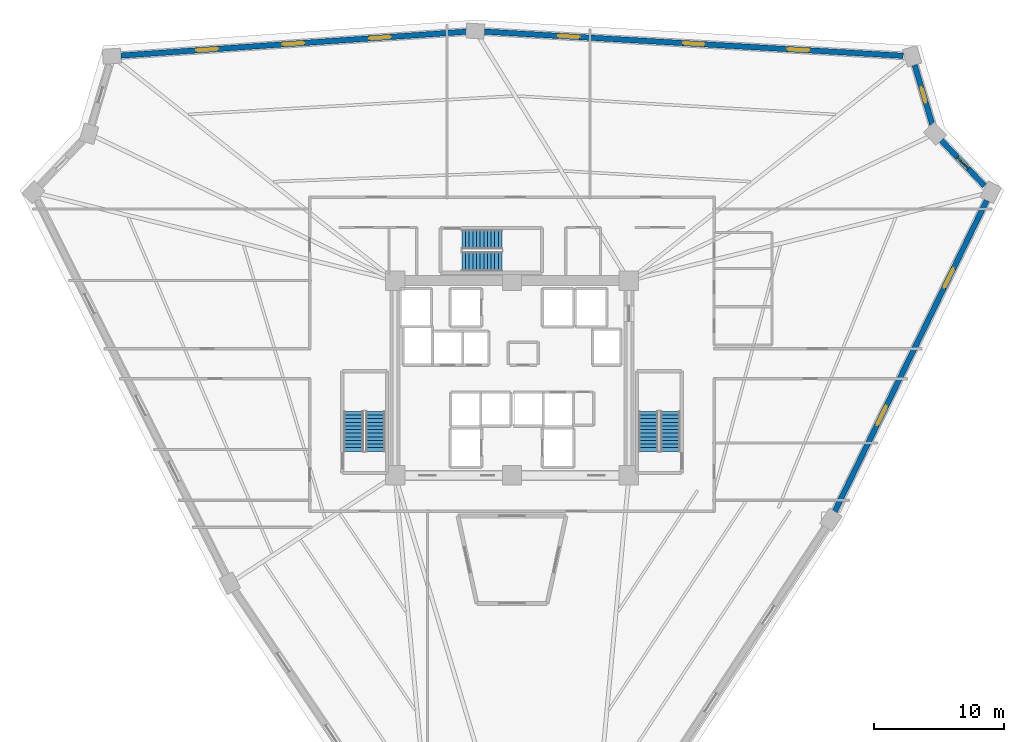
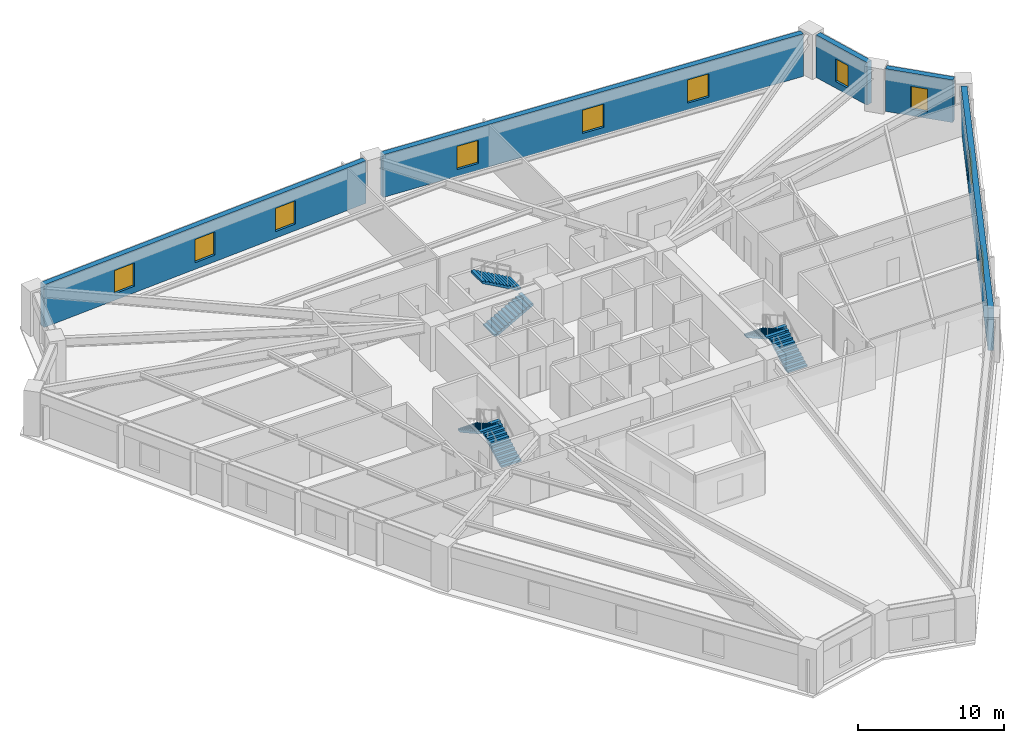
# One storey, part 7 of 9: 10 windows, 6 stair flights, 5 walls, 10 openings, 3 elements without a shape of their own.
"""IFC4 building model written with IfcOpenShell, lengths in metres."""

import ifcopenshell
import ifcopenshell.guid

model = None  # the IFC model being written
_history = None  # IfcOwnerHistory: only IFC2X3 demands one
_inside = {}  # id of a spatial element -> (the spatial element, [elements in it])
_under = {}  # id of a project, library or spatial element -> (it, [spatial elements below it])
_declared = {}  # id of a project -> (the project, [libraries it declares])
_typed = {}  # id of a type object -> (the type object, [elements of that type])
_made_of = {}  # id of a material, layer set ... -> (it, [elements and type objects made of it])


def new_model(schema):
    """Start an empty IFC model of exactly this schema.

    Asked for "IFC4X3", IfcOpenShell would pick the latest addendum, in which some entities
    have other attributes; the version numbers below select the first issue.
    IFC2X3 requires an IfcOwnerHistory on every rooted entity: one is made here for all.
    """
    global model, _history
    if schema == "IFC4X3":
        model = ifcopenshell.file(schema_version=(4, 3, 0, 0))
    else:
        model = ifcopenshell.file(schema=schema)
    _inside.clear()
    _under.clear()
    _declared.clear()
    _typed.clear()
    _made_of.clear()
    _history = None
    if model.schema == "IFC2X3":
        org = make("IfcOrganization", Name="unknown")
        user = make(
            "IfcPersonAndOrganization",
            ThePerson=make("IfcPerson", FamilyName="unknown"),
            TheOrganization=org,
        )
        app = make(
            "IfcApplication",
            ApplicationDeveloper=org,
            Version="unknown",
            ApplicationFullName="unknown",
            ApplicationIdentifier="unknown",
        )
        _history = make(
            "IfcOwnerHistory",
            OwningUser=user,
            OwningApplication=app,
            ChangeAction="ADDED",
            CreationDate=0,
        )
    return model


def make(cls, **values):
    """One entity of the class cls with the attributes given. An attribute that is None is left unset."""
    return model.create_entity(
        cls, **{name: value for name, value in values.items() if value is not None}
    )


def rooted(cls, **values):
    """An entity with a GlobalId (a new one), such as an element, a storey or a relation."""
    return make(cls, GlobalId=ifcopenshell.guid.new(), OwnerHistory=_history, **values)


def si_unit(unit_type, name, prefix=None):
    """IfcSIUnit, for example si_unit("LENGTHUNIT", "METRE", prefix="MILLI")."""
    return make("IfcSIUnit", UnitType=unit_type, Prefix=prefix, Name=name)


def assignment(units):
    """IfcUnitAssignment: the units of a project."""
    return None if units is None else make("IfcUnitAssignment", Units=units)


def point(xyz):
    """IfcCartesianPoint."""
    return None if xyz is None else make("IfcCartesianPoint", Coordinates=xyz)


def direction(xyz):
    """IfcDirection."""
    return None if xyz is None else make("IfcDirection", DirectionRatios=xyz)


def frame(location, z_axis=None, x_axis=None):
    """IfcAxis2Placement3D, a coordinate frame: its origin and axes. An axis left out is left unset."""
    return make(
        "IfcAxis2Placement3D",
        Location=point(location),
        Axis=direction(z_axis),
        RefDirection=direction(x_axis),
    )


def frame_2d(location, x_axis=None):
    """IfcAxis2Placement2D, a coordinate frame in the plane: its origin and x axis."""
    return make(
        "IfcAxis2Placement2D", Location=point(location), RefDirection=direction(x_axis)
    )


def origin():
    """The frame at (0, 0, 0) with its axes left unset."""
    return frame((0.0, 0.0, 0.0))


def place(relative_to, where):
    """IfcLocalPlacement: puts the frame where relative to a parent placement (None: the world)."""
    return make(
        "IfcLocalPlacement", PlacementRelTo=relative_to, RelativePlacement=where
    )


def context(
    kind, dimensions, precision=None, world=None, true_north=None, identifier=None
):
    """IfcGeometricRepresentationContext, for example the 3D "Model" context."""
    return make(
        "IfcGeometricRepresentationContext",
        ContextIdentifier=identifier,
        ContextType=kind,
        CoordinateSpaceDimension=dimensions,
        Precision=precision,
        WorldCoordinateSystem=world,
        TrueNorth=true_north,
    )


def subcontext(parent, identifier, kind, view, scale=None):
    """IfcGeometricRepresentationSubContext, for example "Body" below "Model"."""
    return make(
        "IfcGeometricRepresentationSubContext",
        ContextIdentifier=identifier,
        ContextType=kind,
        ParentContext=parent,
        TargetScale=scale,
        TargetView=view,
    )


def project(units=None, contexts=None):
    """IfcProject with its units and contexts."""
    return rooted(
        "IfcProject",
        Name="project",
        RepresentationContexts=contexts,
        UnitsInContext=assignment(units),
    )


def spatial(cls, under=None, at=None, **own):
    """A site, building, storey or space (cls), placed at a placement, below another one or the project."""
    s = rooted(cls, ObjectPlacement=at, **own)
    if under is not None:
        _under.setdefault(under.id(), (under, []))[1].append(s)
    return s


def polyline(points):
    """IfcPolyline through the points."""
    return make("IfcPolyline", Points=[point(p) for p in points])


def profile(cls, at=None, kind="AREA", **sizes):
    """A parametric profile (cls). Its sizes go by their IFC names, for example OverallWidth=200.0."""
    return make(cls, ProfileType=kind, Position=at, **sizes)


def rectangle(**sizes):
    """IfcRectangleProfileDef."""
    return profile("IfcRectangleProfileDef", **sizes)


def outline(outer, holes=None, kind="AREA"):
    """IfcArbitraryClosedProfileDef: a profile drawn as a closed curve; with holes, ...WithVoids."""
    if holes is None:
        return make("IfcArbitraryClosedProfileDef", ProfileType=kind, OuterCurve=outer)
    return make(
        "IfcArbitraryProfileDefWithVoids",
        ProfileType=kind,
        OuterCurve=outer,
        InnerCurves=holes,
    )


def extrude(swept, where, along, depth):
    """IfcExtrudedAreaSolid: the profile swept, set in the frame where, extruded along a direction by depth."""
    return make(
        "IfcExtrudedAreaSolid",
        SweptArea=swept,
        Position=where,
        ExtrudedDirection=direction(along),
        Depth=depth,
    )


def shape(context_of_items, identifier, shape_type, items):
    """IfcShapeRepresentation: the items that make up one representation, for example the "Body"."""
    return make(
        "IfcShapeRepresentation",
        ContextOfItems=context_of_items,
        RepresentationIdentifier=identifier,
        RepresentationType=shape_type,
        Items=items,
    )


def source(mapping_origin, context_of_items, identifier, shape_type, items):
    """IfcRepresentationMap: a shape defined once, which mapped items show again and again."""
    return make(
        "IfcRepresentationMap",
        MappingOrigin=mapping_origin,
        MappedRepresentation=shape(context_of_items, identifier, shape_type, items),
    )


def transform(
    local_origin,
    x_axis=None,
    y_axis=None,
    z_axis=None,
    scale=None,
    scale2=None,
    scale3=None,
    uniform=True,
):
    """IfcCartesianTransformationOperator3D, or its non-uniform kind. x_axis, y_axis, z_axis: its Axis1, 2, 3."""
    if uniform:
        return make(
            "IfcCartesianTransformationOperator3D",
            Axis1=direction(x_axis),
            Axis2=direction(y_axis),
            LocalOrigin=point(local_origin),
            Scale=scale,
            Axis3=direction(z_axis),
        )
    return make(
        "IfcCartesianTransformationOperator3DnonUniform",
        Axis1=direction(x_axis),
        Axis2=direction(y_axis),
        LocalOrigin=point(local_origin),
        Scale=scale,
        Axis3=direction(z_axis),
        Scale2=scale2,
        Scale3=scale3,
    )


def mapped(mapping_source, mapping_target):
    """IfcMappedItem: shows the shape of a source again, moved by a transform."""
    return make(
        "IfcMappedItem", MappingSource=mapping_source, MappingTarget=mapping_target
    )


def material(Name=None, Category=None):
    """IfcMaterial."""
    return make("IfcMaterial", Name=Name, Category=Category)


def layer(
    of_material, thickness, ventilated=None, Name=None, Category=None, Priority=None
):
    """IfcMaterialLayer: one layer of a wall or slab, of a material (None: an air gap)."""
    return make(
        "IfcMaterialLayer",
        Material=of_material,
        LayerThickness=thickness,
        IsVentilated=ventilated,
        Name=Name,
        Category=Category,
        Priority=Priority,
    )


def layer_set(layers, Name=None):
    """IfcMaterialLayerSet."""
    return make("IfcMaterialLayerSet", MaterialLayers=layers, LayerSetName=Name)


def made_of(thing, what):
    """Note that an element or type object is made of a material, layer set ...; save() writes the relation."""
    if what is not None:
        _made_of.setdefault(what.id(), (what, []))[1].append(thing)
    return thing


def type_object(cls, material=None, **own):
    """A type object (cls), such as IfcWallType, which elements share."""
    return made_of(rooted(cls, **own), material)


def element(
    cls,
    number,
    at=None,
    inside=None,
    cuts=None,
    type_object=None,
    material=None,
    context=None,
    identifier="Body",
    shape_type=None,
    held_by="IfcProductDefinitionShape",
    body=None,
    shapes=None,
    **own,
):
    """One element of the class cls, such as IfcWall. Its Tag is "e" and its number.

    at: its placement. inside: the storey or other place that contains it. cuts: it is an
    opening in that element (IfcRelVoidsElement). A single representation is given by context,
    identifier, shape_type and body (its items); several are given by shapes. held_by: the class
    of the entity that holds the representations. save() writes the other relations.
    """
    e = rooted(cls, Tag="e%d" % number, ObjectPlacement=at, **own)
    if body is not None:
        shapes = [shape(context, identifier, shape_type, body)]
    if shapes is not None:
        e.Representation = make(held_by, Representations=shapes)
    if inside is not None:
        _inside.setdefault(inside.id(), (inside, []))[1].append(e)
    if cuts is not None:
        rooted(
            "IfcRelVoidsElement", RelatingBuildingElement=cuts, RelatedOpeningElement=e
        )
    if type_object is not None:
        _typed.setdefault(type_object.id(), (type_object, []))[1].append(e)
    return made_of(e, material)


def fill(opening, filler):
    """IfcRelFillsElement: the door or window that sits in an opening."""
    return rooted(
        "IfcRelFillsElement",
        RelatingOpeningElement=opening,
        RelatedBuildingElement=filler,
    )


def aggregate(whole, parts):
    """IfcRelAggregates: a whole, such as a stair, and the parts it consists of."""
    return rooted("IfcRelAggregates", RelatingObject=whole, RelatedObjects=parts)


def save(model, path):
    """Write the relations noted so far, then the file.

    IfcRelAggregates (storeys below a building ...), IfcRelContainedInSpatialStructure (elements
    in a storey), IfcRelDefinesByType, IfcRelAssociatesMaterial and IfcRelDeclares: one each for
    every whole, place, type object, material and project.
    """
    for whole, parts in _under.values():
        aggregate(whole, parts)
    for where, things in _inside.values():
        rooted(
            "IfcRelContainedInSpatialStructure",
            RelatedElements=things,
            RelatingStructure=where,
        )
    for kind, things in _typed.values():
        rooted("IfcRelDefinesByType", RelatedObjects=things, RelatingType=kind)
    for what, things in _made_of.values():
        rooted("IfcRelAssociatesMaterial", RelatedObjects=things, RelatingMaterial=what)
    for by, libraries in _declared.values():
        rooted("IfcRelDeclares", RelatingContext=by, RelatedDefinitions=libraries)
    model.write(path)


model = new_model("IFC4")

# Units and contexts
model_context = context("Model", 3, precision=1e-05, world=origin(), true_north=direction((0.0, 1.0)))
body_context = subcontext(model_context, "Body", "Model", "MODEL_VIEW")
ifc_project = project(units=[si_unit("LENGTHUNIT", "METRE"), si_unit("AREAUNIT", "SQUARE_METRE"), si_unit("VOLUMEUNIT", "CUBIC_METRE"), si_unit("PLANEANGLEUNIT", "RADIAN"), si_unit("MASSUNIT", "GRAM", prefix="KILO")], contexts=[model_context])

# Site, building, storey
site_placement = place(None, origin())
site = spatial("IfcSite", under=ifc_project, at=site_placement, CompositionType="ELEMENT")
building_placement = place(site_placement, origin())
building = spatial("IfcBuilding", under=site, at=building_placement, Name="Liaohun Quay Tower", CompositionType="ELEMENT")
storey_placement = place(building_placement, frame((0.0, 0.0, 102.0)))
storey = spatial("IfcBuildingStorey", under=building, at=storey_placement, Name="L26", CompositionType="ELEMENT", Elevation=102.0)

# Wall, openings, windows
ifc_material_1 = material(Name="Precast concrete C50 insulated sandwich", Category="concrete")
ifc_layer = layer(ifc_material_1, 0.419921875, Name="Precast concrete C50 insulated sandwich", Category="concrete")
ifc_layer_set = layer_set([ifc_layer], Name="Precast concrete C50 insulated sandwich")
wall_type = type_object("IfcWallType", Name="WAL-EXT-Z12", PredefinedType="SOLIDWALL", material=ifc_layer_set)
wall_1_placement = place(storey_placement, frame((84.8359375, 43.718017578125, 0.0), z_axis=(0.0, 0.0, 1.0), x_axis=(0.439006754844, 0.898483761234, 0.0)))
wall_1 = element("IfcWall", 1, at=wall_1_placement, inside=storey, type_object=wall_type, Name="L26 Brutalist Precast Pier Wall 03", PredefinedType="SOLIDWALL", context=body_context, shape_type="SweptSolid", body=[
    extrude(rectangle(XDim=26.656005859375, YDim=0.419921875, at=frame_2d((13.328125, 0.0))), origin(), (0.0, 0.0, 1.0), 3.570068359375),
])
shared_shape_1 = source(origin(), body_context, "Body", "SweptSolid", [
    extrude(rectangle(XDim=1.64990234375, YDim=1.949951171875, at=frame_2d((0.824951171875, 0.97509765625))), frame((0.0, 0.219970703125, 0.0), z_axis=(0.0, -1.0, 0.0), x_axis=(1.0, 0.0, 0.0)), (0.0, 0.0, 1.0), 0.43994140625),
])
opening_1_placement = place(wall_1_placement, frame((7.388916015625, 0.0, 0.550048828125)))
opening_1 = element("IfcOpeningElement", 2, at=opening_1_placement, cuts=wall_1, Name="Opening W02", PredefinedType="OPENING", context=body_context, shape_type="MappedRepresentation", body=[
    mapped(shared_shape_1, transform((0.0, 0.0, 0.0), x_axis=(1.0, 0.0, 0.0), y_axis=(0.0, 1.0, 0.0), z_axis=(0.0, 0.0, 1.0), scale=1.0)),
])
opening_2_placement = place(wall_1_placement, frame((19.1669921875, 0.0, 0.550048828125)))
opening_2 = element("IfcOpeningElement", 3, at=opening_2_placement, cuts=wall_1, Name="Opening W02", PredefinedType="OPENING", context=body_context, shape_type="MappedRepresentation", body=[
    mapped(shared_shape_1, transform((0.0, 0.0, 0.0), x_axis=(1.0, 0.0, 0.0), y_axis=(0.0, 1.0, 0.0), z_axis=(0.0, 0.0, 1.0), scale=1.0)),
])
ifc_material_2 = material(Name="Triple Low-E argon glazing in thermally broken aluminium", Category="aluminium")
window_type_1 = type_object("IfcWindowType", Name="WIN-PUN-Z2", PartitioningType="DOUBLE_PANEL_VERTICAL", PredefinedType="WINDOW", material=ifc_material_2)
shared_shape_2 = source(origin(), body_context, "Body", "SweptSolid", [
    extrude(rectangle(XDim=1.64990234375, YDim=1.949951171875, at=frame_2d((0.824951171875, 0.97509765625))), frame((0.0, 0.030029296875, 0.0), z_axis=(0.0, -1.0, 0.0), x_axis=(1.0, 0.0, 0.0)), (0.0, 0.0, 1.0), 0.06005859375),
])
window_1_placement = place(opening_1_placement, origin())
window_1 = element("IfcWindow", 4, at=window_1_placement, inside=storey, type_object=window_type_1, Name="L26 Recessed Cold-Climate Punched Window 03-1", OverallHeight=1.949951171875, OverallWidth=1.64990234375, PartitioningType="DOUBLE_PANEL_VERTICAL", PredefinedType="WINDOW", context=body_context, shape_type="MappedRepresentation", body=[
    mapped(shared_shape_2, transform((0.0, 0.0, 0.0), x_axis=(1.0, 0.0, 0.0), y_axis=(0.0, 1.0, 0.0), z_axis=(0.0, 0.0, 1.0), scale=1.0)),
])
fill(opening_1, window_1)
window_2_placement = place(opening_2_placement, origin())
window_2 = element("IfcWindow", 5, at=window_2_placement, inside=storey, type_object=window_type_1, Name="L26 Recessed Cold-Climate Punched Window 03-3", OverallHeight=1.949951171875, OverallWidth=1.64990234375, PartitioningType="DOUBLE_PANEL_VERTICAL", PredefinedType="WINDOW", context=body_context, shape_type="MappedRepresentation", body=[
    mapped(shared_shape_2, transform((0.0, 0.0, 0.0), x_axis=(1.0, 0.0, 0.0), y_axis=(0.0, 1.0, 0.0), z_axis=(0.0, 0.0, 1.0), scale=1.0)),
])
fill(opening_2, window_2)

# Wall, opening, window
wall_2_placement = place(storey_placement, frame((96.364990234375, 68.7880859375, 0.0), z_axis=(0.0, 0.0, 1.0), x_axis=(-0.68933261552, 0.724444991135, 0.0)))
wall_2 = element("IfcWall", 6, at=wall_2_placement, inside=storey, type_object=wall_type, Name="L26 Brutalist Precast Pier Wall 04", PredefinedType="SOLIDWALL", context=body_context, shape_type="SweptSolid", body=[
    extrude(rectangle(XDim=4.83935546875, YDim=0.419921875, at=frame_2d((2.419677734375, 0.0))), origin(), (0.0, 0.0, 1.0), 3.570068359375),
])
shared_shape_3 = source(origin(), body_context, "Body", "SweptSolid", [
    extrude(rectangle(XDim=1.199951171875, YDim=1.89990234375, at=frame_2d((0.60009765625, 0.949951171875))), frame((0.0, 0.219970703125, 0.0), z_axis=(0.0, -1.0, 0.0), x_axis=(1.0, 0.0, 0.0)), (0.0, 0.0, 1.0), 0.43994140625),
])
opening_3_placement = place(wall_2_placement, frame((1.820068359375, 0.0, 0.550048828125)))
opening_3 = element("IfcOpeningElement", 7, at=opening_3_placement, cuts=wall_2, Name="Opening W05", PredefinedType="OPENING", context=body_context, shape_type="MappedRepresentation", body=[
    mapped(shared_shape_3, transform((0.0, 0.0, 0.0), x_axis=(1.0, 0.0, 0.0), y_axis=(0.0, 1.0, 0.0), z_axis=(0.0, 0.0, 1.0), scale=1.0)),
])
ifc_material_3 = material(Name="Triple Low-E corner notch glazing", Category="glass")
window_type_2 = type_object("IfcWindowType", Name="WIN-NOTCH", PartitioningType="SINGLE_PANEL", PredefinedType="WINDOW", material=ifc_material_3)
shared_shape_4 = source(origin(), body_context, "Body", "SweptSolid", [
    extrude(rectangle(XDim=1.199951171875, YDim=1.89990234375, at=frame_2d((0.60009765625, 0.949951171875))), frame((0.0, 0.030029296875, 0.0), z_axis=(0.0, -1.0, 0.0), x_axis=(1.0, 0.0, 0.0)), (0.0, 0.0, 1.0), 0.06005859375),
])
window_3_placement = place(opening_3_placement, origin())
window_3 = element("IfcWindow", 8, at=window_3_placement, inside=storey, type_object=window_type_2, Name="L26 Corner Notch Window W05-04", OverallHeight=1.89990234375, OverallWidth=1.199951171875, PartitioningType="SINGLE_PANEL", PredefinedType="WINDOW", context=body_context, shape_type="MappedRepresentation", body=[
    mapped(shared_shape_4, transform((0.0, 0.0, 0.0), x_axis=(1.0, 0.0, 0.0), y_axis=(0.0, 1.0, 0.0), z_axis=(0.0, 0.0, 1.0), scale=1.0)),
])
fill(opening_3, window_3)

wall_3_placement = place(storey_placement, frame((92.35791015625, 73.4560546875, 0.0), z_axis=(0.0, 0.0, 1.0), x_axis=(-0.282817124876, 0.959173849663, 0.0)))
wall_3 = element("IfcWall", 9, at=wall_3_placement, inside=storey, type_object=wall_type, Name="L26 Brutalist Precast Pier Wall 05", PredefinedType="SOLIDWALL", context=body_context, shape_type="SweptSolid", body=[
    extrude(rectangle(XDim=4.833251953125, YDim=0.419921875, at=frame_2d((2.41650390625, 0.0))), origin(), (0.0, 0.0, 1.0), 3.570068359375),
])
opening_4_placement = place(wall_3_placement, frame((1.81689453125, 0.0, 0.550048828125)))
opening_4 = element("IfcOpeningElement", 10, at=opening_4_placement, cuts=wall_3, Name="Opening W05", PredefinedType="OPENING", context=body_context, shape_type="MappedRepresentation", body=[
    mapped(shared_shape_3, transform((0.0, 0.0, 0.0), x_axis=(1.0, 0.0, 0.0), y_axis=(0.0, 1.0, 0.0), z_axis=(0.0, 0.0, 1.0), scale=1.0)),
])
window_4_placement = place(opening_4_placement, origin())
window_4 = element("IfcWindow", 11, at=window_4_placement, inside=storey, type_object=window_type_2, Name="L26 Corner Notch Window W05-05", OverallHeight=1.89990234375, OverallWidth=1.199951171875, PartitioningType="SINGLE_PANEL", PredefinedType="WINDOW", context=body_context, shape_type="MappedRepresentation", body=[
    mapped(shared_shape_4, transform((0.0, 0.0, 0.0), x_axis=(1.0, 0.0, 0.0), y_axis=(0.0, 1.0, 0.0), z_axis=(0.0, 0.0, 1.0), scale=1.0)),
])
fill(opening_4, window_4)

# Wall, openings, windows
wall_4_placement = place(storey_placement, frame((90.10693359375, 78.7939453125, 0.0), z_axis=(0.0, 0.0, 1.0), x_axis=(-0.998334830413, 0.057685062058, 0.0)))
wall_4 = element("IfcWall", 12, at=wall_4_placement, inside=storey, type_object=wall_type, Name="L26 Brutalist Precast Pier Wall 06", PredefinedType="SOLIDWALL", context=body_context, shape_type="SweptSolid", body=[
    extrude(rectangle(XDim=32.296630859375, YDim=0.419921875, at=frame_2d((16.1484375, 0.0))), origin(), (0.0, 0.0, 1.0), 3.570068359375),
])
opening_5_placement = place(wall_4_placement, frame((7.2490234375, 0.0, 0.550048828125)))
opening_5 = element("IfcOpeningElement", 13, at=opening_5_placement, cuts=wall_4, Name="Opening W02", PredefinedType="OPENING", context=body_context, shape_type="MappedRepresentation", body=[
    mapped(shared_shape_1, transform((0.0, 0.0, 0.0), x_axis=(1.0, 0.0, 0.0), y_axis=(0.0, 1.0, 0.0), z_axis=(0.0, 0.0, 1.0), scale=1.0)),
])
opening_6_placement = place(wall_4_placement, frame((15.322998046875, 0.0, 0.550048828125)))
opening_6 = element("IfcOpeningElement", 14, at=opening_6_placement, cuts=wall_4, Name="Opening W02", PredefinedType="OPENING", context=body_context, shape_type="MappedRepresentation", body=[
    mapped(shared_shape_1, transform((0.0, 0.0, 0.0), x_axis=(1.0, 0.0, 0.0), y_axis=(0.0, 1.0, 0.0), z_axis=(0.0, 0.0, 1.0), scale=1.0)),
])
opening_7_placement = place(wall_4_placement, frame((24.947998046875, 0.0, 0.550048828125)))
opening_7 = element("IfcOpeningElement", 15, at=opening_7_placement, cuts=wall_4, Name="Opening W02", PredefinedType="OPENING", context=body_context, shape_type="MappedRepresentation", body=[
    mapped(shared_shape_1, transform((0.0, 0.0, 0.0), x_axis=(1.0, 0.0, 0.0), y_axis=(0.0, 1.0, 0.0), z_axis=(0.0, 0.0, 1.0), scale=1.0)),
])
window_5_placement = place(opening_5_placement, origin())
window_5 = element("IfcWindow", 16, at=window_5_placement, inside=storey, type_object=window_type_1, Name="L26 Recessed Cold-Climate Punched Window 06-1", OverallHeight=1.949951171875, OverallWidth=1.64990234375, PartitioningType="DOUBLE_PANEL_VERTICAL", PredefinedType="WINDOW", context=body_context, shape_type="MappedRepresentation", body=[
    mapped(shared_shape_2, transform((0.0, 0.0, 0.0), x_axis=(1.0, 0.0, 0.0), y_axis=(0.0, 1.0, 0.0), z_axis=(0.0, 0.0, 1.0), scale=1.0)),
])
fill(opening_5, window_5)
window_6_placement = place(opening_6_placement, origin())
window_6 = element("IfcWindow", 17, at=window_6_placement, inside=storey, type_object=window_type_1, Name="L26 Recessed Cold-Climate Punched Window 06-2", OverallHeight=1.949951171875, OverallWidth=1.64990234375, PartitioningType="DOUBLE_PANEL_VERTICAL", PredefinedType="WINDOW", context=body_context, shape_type="MappedRepresentation", body=[
    mapped(shared_shape_2, transform((0.0, 0.0, 0.0), x_axis=(1.0, 0.0, 0.0), y_axis=(0.0, 1.0, 0.0), z_axis=(0.0, 0.0, 1.0), scale=1.0)),
])
fill(opening_6, window_6)
window_7_placement = place(opening_7_placement, origin())
window_7 = element("IfcWindow", 18, at=window_7_placement, inside=storey, type_object=window_type_1, Name="L26 Recessed Cold-Climate Punched Window 06-3", OverallHeight=1.949951171875, OverallWidth=1.64990234375, PartitioningType="DOUBLE_PANEL_VERTICAL", PredefinedType="WINDOW", context=body_context, shape_type="MappedRepresentation", body=[
    mapped(shared_shape_2, transform((0.0, 0.0, 0.0), x_axis=(1.0, 0.0, 0.0), y_axis=(0.0, 1.0, 0.0), z_axis=(0.0, 0.0, 1.0), scale=1.0)),
])
fill(opening_7, window_7)

wall_5_placement = place(storey_placement, frame((56.487060546875, 80.64892578125, 0.0), z_axis=(0.0, 0.0, 1.0), x_axis=(-0.997615260402, -0.069020230456, 0.0)))
wall_5 = element("IfcWall", 19, at=wall_5_placement, inside=storey, type_object=wall_type, Name="L26 Brutalist Precast Pier Wall 07", PredefinedType="SOLIDWALL", context=body_context, shape_type="SweptSolid", body=[
    extrude(rectangle(XDim=26.656494140625, YDim=0.419921875, at=frame_2d((13.328125, 0.0))), origin(), (0.0, 0.0, 1.0), 3.570068359375),
])
opening_8_placement = place(wall_5_placement, frame((5.839111328125, 0.0, 0.550048828125)))
opening_8 = element("IfcOpeningElement", 20, at=opening_8_placement, cuts=wall_5, Name="Opening W02", PredefinedType="OPENING", context=body_context, shape_type="MappedRepresentation", body=[
    mapped(shared_shape_1, transform((0.0, 0.0, 0.0), x_axis=(1.0, 0.0, 0.0), y_axis=(0.0, 1.0, 0.0), z_axis=(0.0, 0.0, 1.0), scale=1.0)),
])
opening_9_placement = place(wall_5_placement, frame((12.5029296875, 0.0, 0.550048828125)))
opening_9 = element("IfcOpeningElement", 21, at=opening_9_placement, cuts=wall_5, Name="Opening W02", PredefinedType="OPENING", context=body_context, shape_type="MappedRepresentation", body=[
    mapped(shared_shape_1, transform((0.0, 0.0, 0.0), x_axis=(1.0, 0.0, 0.0), y_axis=(0.0, 1.0, 0.0), z_axis=(0.0, 0.0, 1.0), scale=1.0)),
])
opening_10_placement = place(wall_5_placement, frame((19.1669921875, 0.0, 0.550048828125)))
opening_10 = element("IfcOpeningElement", 22, at=opening_10_placement, cuts=wall_5, Name="Opening W02", PredefinedType="OPENING", context=body_context, shape_type="MappedRepresentation", body=[
    mapped(shared_shape_1, transform((0.0, 0.0, 0.0), x_axis=(1.0, 0.0, 0.0), y_axis=(0.0, 1.0, 0.0), z_axis=(0.0, 0.0, 1.0), scale=1.0)),
])
window_8_placement = place(opening_8_placement, origin())
window_8 = element("IfcWindow", 23, at=window_8_placement, inside=storey, type_object=window_type_1, Name="L26 Recessed Cold-Climate Punched Window 07-1", OverallHeight=1.949951171875, OverallWidth=1.64990234375, PartitioningType="DOUBLE_PANEL_VERTICAL", PredefinedType="WINDOW", context=body_context, shape_type="MappedRepresentation", body=[
    mapped(shared_shape_2, transform((0.0, 0.0, 0.0), x_axis=(1.0, 0.0, 0.0), y_axis=(0.0, 1.0, 0.0), z_axis=(0.0, 0.0, 1.0), scale=1.0)),
])
fill(opening_8, window_8)
window_9_placement = place(opening_9_placement, origin())
window_9 = element("IfcWindow", 24, at=window_9_placement, inside=storey, type_object=window_type_1, Name="L26 Recessed Cold-Climate Punched Window 07-2", OverallHeight=1.949951171875, OverallWidth=1.64990234375, PartitioningType="DOUBLE_PANEL_VERTICAL", PredefinedType="WINDOW", context=body_context, shape_type="MappedRepresentation", body=[
    mapped(shared_shape_2, transform((0.0, 0.0, 0.0), x_axis=(1.0, 0.0, 0.0), y_axis=(0.0, 1.0, 0.0), z_axis=(0.0, 0.0, 1.0), scale=1.0)),
])
fill(opening_9, window_9)
window_10_placement = place(opening_10_placement, origin())
window_10 = element("IfcWindow", 25, at=window_10_placement, inside=storey, type_object=window_type_1, Name="L26 Recessed Cold-Climate Punched Window 07-3", OverallHeight=1.949951171875, OverallWidth=1.64990234375, PartitioningType="DOUBLE_PANEL_VERTICAL", PredefinedType="WINDOW", context=body_context, shape_type="MappedRepresentation", body=[
    mapped(shared_shape_2, transform((0.0, 0.0, 0.0), x_axis=(1.0, 0.0, 0.0), y_axis=(0.0, 1.0, 0.0), z_axis=(0.0, 0.0, 1.0), scale=1.0)),
])
fill(opening_10, window_10)

# Stair, stair flights
ifc_material_4 = material(Name="Concrete C45", Category="concrete")
stair_type = type_object("IfcStairType", Name="STR-CORE-OFF", PredefinedType="HALF_TURN_STAIR", material=ifc_material_4)
stair_1_placement = place(storey_placement, origin())
stair_1 = element("IfcStair", 26, at=stair_1_placement, inside=storey, type_object=stair_type, Name="L26 Smokeproof Core Exit Stair ST-1", PredefinedType="HALF_TURN_STAIR")
stair_flight_type = type_object("IfcStairFlightType", Name="FLT-CORE-155", PredefinedType="STRAIGHT", material=ifc_material_4)
stair_flight_1_placement = place(storey_placement, frame((49.5048828125, 48.35009765625, 0.0), z_axis=(0.0, 0.0, 1.0), x_axis=(0.0, 1.0, 0.0)))
stair_flight_1 = element("IfcStairFlight", 27, at=stair_flight_1_placement, type_object=stair_flight_type, Name="ST-1 flight 1", NumberOfRisers=12, NumberOfTreads=11, PredefinedType="STRAIGHT", RiserHeight=0.15625, TreadLength=0.28, context=body_context, shape_type="SweptSolid", body=[
    extrude(outline(polyline([(0.0, 0.0), (0.0, 0.15625), (0.280029296875, 0.15625), (0.280029296875, 0.3125), (0.56005859375, 0.3125), (0.56005859375, 0.46875), (0.840087890625, 0.46875), (0.840087890625, 0.625), (1.1201171875, 0.625), (1.1201171875, 0.78125), (1.39990234375, 0.78125), (1.39990234375, 0.9375), (1.679931640625, 0.9375), (1.679931640625, 1.09375), (1.9599609375, 1.09375), (1.9599609375, 1.25), (2.239990234375, 1.25), (2.239990234375, 1.40625), (2.52001953125, 1.40625), (2.52001953125, 1.5625), (2.800048828125, 1.5625), (2.800048828125, 1.71875), (3.080078125, 1.71875), (3.080078125, 1.875), (3.080078125, 1.547119140625), (0.3076171875, 0.0), (0.0, 0.0)])), frame((0.0, 0.77490234375, 0.0), z_axis=(0.0, -1.0, 0.0), x_axis=(1.0, 0.0, 0.0)), (0.0, 0.0, 1.0), 1.550048828125),
])
stair_flight_2_placement = place(storey_placement, frame((47.81494140625, 51.429931640625, 1.875), z_axis=(0.0, 0.0, 1.0), x_axis=(0.0, -1.0, 0.0)))
stair_flight_2 = element("IfcStairFlight", 28, at=stair_flight_2_placement, type_object=stair_flight_type, Name="ST-1 flight 2", NumberOfRisers=12, NumberOfTreads=11, PredefinedType="STRAIGHT", RiserHeight=0.15625, TreadLength=0.28, context=body_context, shape_type="SweptSolid", body=[
    extrude(outline(polyline([(0.0, 0.0), (0.0, 0.15625), (0.280029296875, 0.15625), (0.280029296875, 0.3125), (0.56005859375, 0.3125), (0.56005859375, 0.46875), (0.840087890625, 0.46875), (0.840087890625, 0.625), (1.1201171875, 0.625), (1.1201171875, 0.78125), (1.39990234375, 0.78125), (1.39990234375, 0.9375), (1.679931640625, 0.9375), (1.679931640625, 1.09375), (1.9599609375, 1.09375), (1.9599609375, 1.25), (2.239990234375, 1.25), (2.239990234375, 1.40625), (2.52001953125, 1.40625), (2.52001953125, 1.5625), (2.800048828125, 1.5625), (2.800048828125, 1.71875), (3.080078125, 1.71875), (3.080078125, 1.875), (3.080078125, 1.547119140625), (0.3076171875, 0.0), (0.0, 0.0)])), frame((0.0, 0.77490234375, 0.0), z_axis=(0.0, -1.0, 0.0), x_axis=(1.0, 0.0, 0.0)), (0.0, 0.0, 1.0), 1.550048828125),
])
aggregate(stair_1, [stair_flight_1, stair_flight_2])

stair_2_placement = place(storey_placement, origin())
stair_2 = element("IfcStair", 29, at=stair_2_placement, inside=storey, type_object=stair_type, Name="L26 Smokeproof Core Exit Stair ST-2", PredefinedType="HALF_TURN_STAIR")
stair_flight_3_placement = place(storey_placement, frame((72.18505859375, 48.35009765625, 0.0), z_axis=(0.0, 0.0, 1.0), x_axis=(0.0, 1.0, 0.0)))
stair_flight_3 = element("IfcStairFlight", 30, at=stair_flight_3_placement, type_object=stair_flight_type, Name="ST-2 flight 1", NumberOfRisers=12, NumberOfTreads=11, PredefinedType="STRAIGHT", RiserHeight=0.15625, TreadLength=0.28, context=body_context, shape_type="SweptSolid", body=[
    extrude(outline(polyline([(0.0, 0.0), (0.0, 0.15625), (0.280029296875, 0.15625), (0.280029296875, 0.3125), (0.56005859375, 0.3125), (0.56005859375, 0.46875), (0.840087890625, 0.46875), (0.840087890625, 0.625), (1.1201171875, 0.625), (1.1201171875, 0.78125), (1.39990234375, 0.78125), (1.39990234375, 0.9375), (1.679931640625, 0.9375), (1.679931640625, 1.09375), (1.9599609375, 1.09375), (1.9599609375, 1.25), (2.239990234375, 1.25), (2.239990234375, 1.40625), (2.52001953125, 1.40625), (2.52001953125, 1.5625), (2.800048828125, 1.5625), (2.800048828125, 1.71875), (3.080078125, 1.71875), (3.080078125, 1.875), (3.080078125, 1.547119140625), (0.3076171875, 0.0), (0.0, 0.0)])), frame((0.0, 0.77490234375, 0.0), z_axis=(0.0, -1.0, 0.0), x_axis=(1.0, 0.0, 0.0)), (0.0, 0.0, 1.0), 1.550048828125),
])
stair_flight_4_placement = place(storey_placement, frame((70.4951171875, 51.429931640625, 1.875), z_axis=(0.0, 0.0, 1.0), x_axis=(0.0, -1.0, 0.0)))
stair_flight_4 = element("IfcStairFlight", 31, at=stair_flight_4_placement, type_object=stair_flight_type, Name="ST-2 flight 2", NumberOfRisers=12, NumberOfTreads=11, PredefinedType="STRAIGHT", RiserHeight=0.15625, TreadLength=0.28, context=body_context, shape_type="SweptSolid", body=[
    extrude(outline(polyline([(0.0, 0.0), (0.0, 0.15625), (0.280029296875, 0.15625), (0.280029296875, 0.3125), (0.56005859375, 0.3125), (0.56005859375, 0.46875), (0.840087890625, 0.46875), (0.840087890625, 0.625), (1.1201171875, 0.625), (1.1201171875, 0.78125), (1.39990234375, 0.78125), (1.39990234375, 0.9375), (1.679931640625, 0.9375), (1.679931640625, 1.09375), (1.9599609375, 1.09375), (1.9599609375, 1.25), (2.239990234375, 1.25), (2.239990234375, 1.40625), (2.52001953125, 1.40625), (2.52001953125, 1.5625), (2.800048828125, 1.5625), (2.800048828125, 1.71875), (3.080078125, 1.71875), (3.080078125, 1.875), (3.080078125, 1.547119140625), (0.3076171875, 0.0), (0.0, 0.0)])), frame((0.0, 0.77490234375, 0.0), z_axis=(0.0, -1.0, 0.0), x_axis=(1.0, 0.0, 0.0)), (0.0, 0.0, 1.0), 1.550048828125),
])
aggregate(stair_2, [stair_flight_3, stair_flight_4])

stair_3_placement = place(storey_placement, origin())
stair_3 = element("IfcStair", 32, at=stair_3_placement, inside=storey, type_object=stair_type, Name="L26 Smokeproof Core Exit Stair ST-3", PredefinedType="HALF_TURN_STAIR")
stair_flight_5_placement = place(storey_placement, frame((56.14990234375, 62.97509765625, 0.0), z_axis=(0.0, 0.0, 1.0), x_axis=(1.0, 0.0, 0.0)))
stair_flight_5 = element("IfcStairFlight", 33, at=stair_flight_5_placement, type_object=stair_flight_type, Name="ST-3 flight 1", NumberOfRisers=12, NumberOfTreads=11, PredefinedType="STRAIGHT", RiserHeight=0.15625, TreadLength=0.28, context=body_context, shape_type="SweptSolid", body=[
    extrude(outline(polyline([(0.0, 0.0), (0.0, 0.15625), (0.280029296875, 0.15625), (0.280029296875, 0.3125), (0.56005859375, 0.3125), (0.56005859375, 0.46875), (0.840087890625, 0.46875), (0.840087890625, 0.625), (1.1201171875, 0.625), (1.1201171875, 0.78125), (1.39990234375, 0.78125), (1.39990234375, 0.9375), (1.679931640625, 0.9375), (1.679931640625, 1.09375), (1.9599609375, 1.09375), (1.9599609375, 1.25), (2.239990234375, 1.25), (2.239990234375, 1.40625), (2.52001953125, 1.40625), (2.52001953125, 1.5625), (2.800048828125, 1.5625), (2.800048828125, 1.71875), (3.080078125, 1.71875), (3.080078125, 1.875), (3.080078125, 1.547119140625), (0.3076171875, 0.0), (0.0, 0.0)])), frame((0.0, 0.77490234375, 0.0), z_axis=(0.0, -1.0, 0.0), x_axis=(1.0, 0.0, 0.0)), (0.0, 0.0, 1.0), 1.550048828125),
])
stair_flight_6_placement = place(storey_placement, frame((59.22998046875, 64.6650390625, 1.875), z_axis=(0.0, 0.0, 1.0), x_axis=(-1.0, 0.0, 0.0)))
stair_flight_6 = element("IfcStairFlight", 34, at=stair_flight_6_placement, type_object=stair_flight_type, Name="ST-3 flight 2", NumberOfRisers=12, NumberOfTreads=11, PredefinedType="STRAIGHT", RiserHeight=0.15625, TreadLength=0.28, context=body_context, shape_type="SweptSolid", body=[
    extrude(outline(polyline([(0.0, 0.0), (0.0, 0.15625), (0.280029296875, 0.15625), (0.280029296875, 0.3125), (0.56005859375, 0.3125), (0.56005859375, 0.46875), (0.840087890625, 0.46875), (0.840087890625, 0.625), (1.1201171875, 0.625), (1.1201171875, 0.78125), (1.39990234375, 0.78125), (1.39990234375, 0.9375), (1.679931640625, 0.9375), (1.679931640625, 1.09375), (1.9599609375, 1.09375), (1.9599609375, 1.25), (2.239990234375, 1.25), (2.239990234375, 1.40625), (2.52001953125, 1.40625), (2.52001953125, 1.5625), (2.800048828125, 1.5625), (2.800048828125, 1.71875), (3.080078125, 1.71875), (3.080078125, 1.875), (3.080078125, 1.547119140625), (0.3076171875, 0.0), (0.0, 0.0)])), frame((0.0, 0.77490234375, 0.0), z_axis=(0.0, -1.0, 0.0), x_axis=(1.0, 0.0, 0.0)), (0.0, 0.0, 1.0), 1.550048828125),
])
aggregate(stair_3, [stair_flight_5, stair_flight_6])

save(model, "model.ifc")
